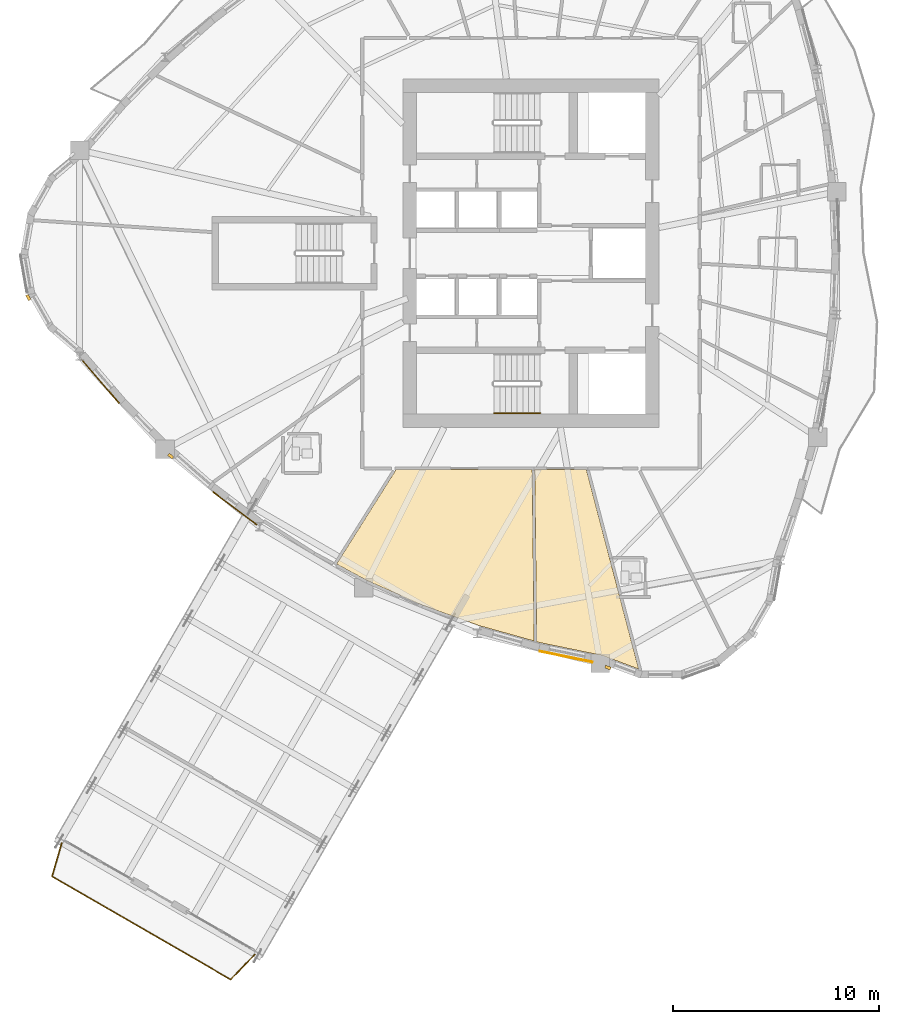
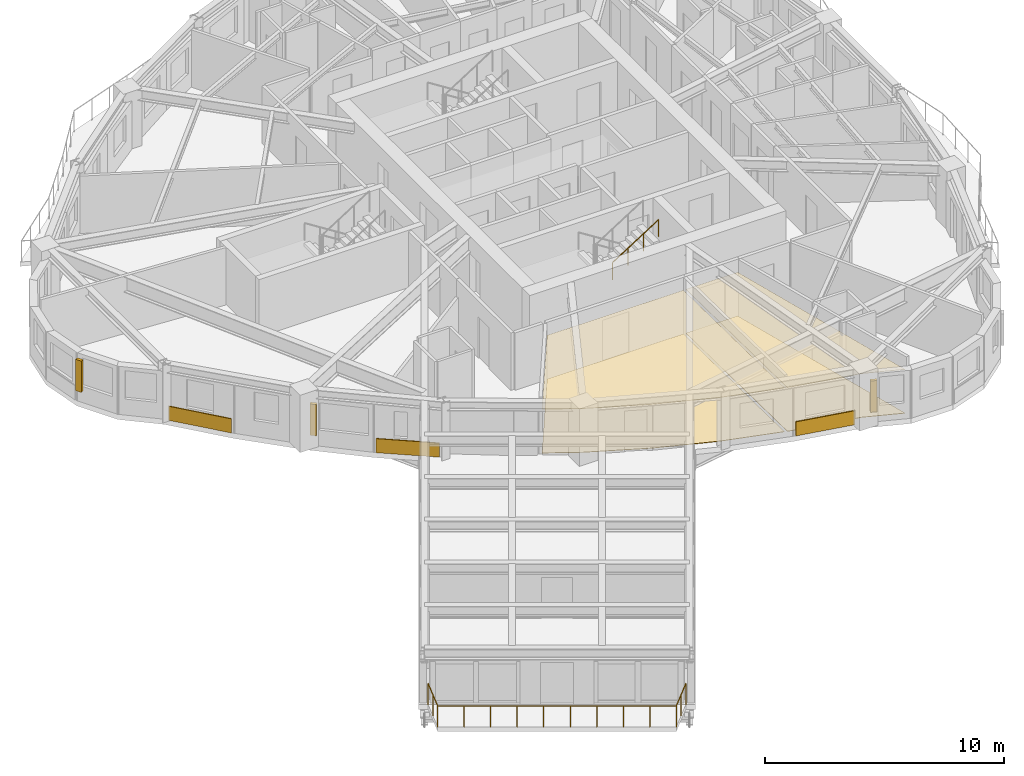
# One storey, part 13 of 17: 7 coverings, 3 shading devices, 2 railings.
"""IFC4 building model written with IfcOpenShell, lengths in metres."""

from ifc_helpers import new_model, si_unit, direction, frame, origin, origin_2d, place, context, subcontext, project, spatial, polyline, rectangle, circle, outline, extrude, source, transform, mapped, material, layer, layer_set, type_object, element, save


model = new_model("IFC4")

# Units and contexts
model_context = context("Model", 3, precision=1e-05, world=origin(), true_north=direction((0.0, 1.0)))
body_context = subcontext(model_context, "Body", "Model", "MODEL_VIEW")
ifc_project = project(units=[si_unit("LENGTHUNIT", "METRE"), si_unit("AREAUNIT", "SQUARE_METRE"), si_unit("VOLUMEUNIT", "CUBIC_METRE"), si_unit("PLANEANGLEUNIT", "RADIAN"), si_unit("MASSUNIT", "GRAM", prefix="KILO")], contexts=[model_context])

# Site, building, storey
site_placement = place(None, origin())
site = spatial("IfcSite", under=ifc_project, at=site_placement, CompositionType="ELEMENT")
building_placement = place(site_placement, origin())
building = spatial("IfcBuilding", under=site, at=building_placement, Name="Qafzar Sky-Pleat Residences", CompositionType="ELEMENT")
storey_placement = place(building_placement, frame((0.0, 0.0, 108.800048828125)))
storey = spatial("IfcBuildingStorey", under=building, at=storey_placement, Name="L32", CompositionType="ELEMENT", Elevation=108.800048828125)

# Coverings
ifc_material_1 = material(Name="Perforated acoustic gypsum board ceiling")
ifc_layer_1 = layer(ifc_material_1, 0.02001953125)
ifc_layer_set_1 = layer_set([ifc_layer_1], Name="Perforated acoustic gypsum board ceiling")
covering_type_1 = type_object("IfcCoveringType", Name="COV-CEIL-ACOUSTIC", PredefinedType="CEILING", material=ifc_layer_set_1)
covering_1_placement = place(storey_placement, frame((0.0, 0.0, 2.239990234375)))
element("IfcCovering", 1, at=covering_1_placement, inside=storey, type_object=covering_type_1, Name="L32 Co-Living Lounge Acoustic Ceiling", PredefinedType="CEILING", context=body_context, shape_type="SweptSolid", body=[
    extrude(outline(polyline([(27.872314453125, 7.941162109375), (25.09375, 8.939697265625), (22.427734375, 10.127685546875), (20.929443359375, 10.93603515625), (23.811279296875, 15.510009765625), (30.41162109375, 15.510009765625), (30.50830078125, 7.203857421875), (27.872314453125, 7.941162109375)])), origin(), (0.0, 0.0, 1.0), 0.02001953125),
])
covering_2_placement = place(storey_placement, frame((0.0, 0.0, 2.239990234375)))
element("IfcCovering", 2, at=covering_2_placement, inside=storey, type_object=covering_type_1, Name="L32 Communal Kitchen Acoustic Ceiling", PredefinedType="CEILING", context=body_context, shape_type="SweptSolid", body=[
    extrude(outline(polyline([(33.8125, 6.504150390625), (30.764404296875, 7.132080078125), (30.628662109375, 7.170166015625), (30.53173828125, 15.510009765625), (33.03759765625, 15.510009765625), (35.570556640625, 5.84765625), (33.8125, 6.504150390625)])), origin(), (0.0, 0.0, 1.0), 0.02001953125),
])
ifc_material_2 = material(Name="Honed porcelain and Riyadh stone tile flooring", Category="masonry")
ifc_layer_2 = layer(ifc_material_2, 0.02001953125)
ifc_layer_set_2 = layer_set([ifc_layer_2], Name="Honed porcelain and Riyadh stone tile flooring")
covering_type_2 = type_object("IfcCoveringType", Name="COV-FLR-PORCELAIN", PredefinedType="FLOORING", material=ifc_layer_set_2)
covering_3_placement = place(storey_placement, origin())
element("IfcCovering", 3, at=covering_3_placement, inside=storey, type_object=covering_type_2, Name="L32 Co-Living Lounge Honed Stone Flooring", PredefinedType="FLOORING", context=body_context, shape_type="SweptSolid", body=[
    extrude(outline(polyline([(27.872314453125, 7.941162109375), (25.09375, 8.939697265625), (22.427734375, 10.127685546875), (20.929443359375, 10.93603515625), (23.811279296875, 15.510009765625), (30.41162109375, 15.510009765625), (30.50830078125, 7.203857421875), (27.872314453125, 7.941162109375)])), origin(), (0.0, 0.0, 1.0), 0.02001953125),
])
covering_4_placement = place(storey_placement, origin())
element("IfcCovering", 4, at=covering_4_placement, inside=storey, type_object=covering_type_2, Name="L32 Communal Kitchen Honed Stone Flooring", PredefinedType="FLOORING", context=body_context, shape_type="SweptSolid", body=[
    extrude(outline(polyline([(33.8125, 6.504150390625), (30.764404296875, 7.132080078125), (30.628662109375, 7.170166015625), (30.53173828125, 15.510009765625), (33.03759765625, 15.510009765625), (35.570556640625, 5.84765625), (33.8125, 6.504150390625)])), origin(), (0.0, 0.0, 1.0), 0.02001953125),
])

# Shading devices
ifc_material_3 = material(Name="Honed Riyadh limestone solar fin", Category="masonry")
ifc_layer_3 = layer(ifc_material_3, 0.139892578125)
ifc_layer_set_3 = layer_set([ifc_layer_3], Name="Honed Riyadh limestone solar fin")
shading_device_type = type_object("IfcShadingDeviceType", Name="SHD-FIN-STONE", PredefinedType="SHUTTER", material=ifc_layer_set_3)
shared_shape_1 = source(origin(), body_context, "Body", "SweptSolid", [
    extrude(rectangle(XDim=0.139892578125, YDim=0.280029296875, at=origin_2d()), origin(), (0.0, 0.0, 1.0), 1.60009765625),
])
for number, where, z_axis, x_axis, name in (
    (5, (5.99072265625, 23.854248046875, 0.599853515625), (0.0, 0.0, 1.0), (-0.868298604268, -0.49604186701, 0.0), "L32 Limestone Solar Fin 5"),
    (6, (12.888427734375, 16.168701171875, 0.599853515625), (0.0, 0.0, 1.0), (-0.659766988526, -0.751470239498, 0.0), "L32 Limestone Solar Fin 9"),
    (7, (34.080810546875, 5.918212890625, 0.599853515625), (0.0, 0.0, 1.0), (-0.349882583119, -0.93679356212, 0.0), "L32 Limestone Solar Fin 17"),
):
    element("IfcShadingDevice", number, at=place(storey_placement, frame(where, z_axis=z_axis, x_axis=x_axis)), inside=storey, type_object=shading_device_type, Name=name, PredefinedType="SHUTTER", context=body_context, shape_type="MappedRepresentation", body=[
        mapped(shared_shape_1, transform((0.0, 0.0, 0.0), x_axis=(1.0, 0.0, 0.0), y_axis=(0.0, 1.0, 0.0), z_axis=(0.0, 0.0, 1.0), scale=1.0)),
    ])

# Coverings
ifc_material_4 = material(Name="Honed Riyadh Tuwaiq limestone cladding", Category="masonry")
ifc_layer_4 = layer(ifc_material_4, 0.044921875)
ifc_layer_set_4 = layer_set([ifc_layer_4], Name="Honed Riyadh Tuwaiq limestone cladding")
covering_type_3 = type_object("IfcCoveringType", Name="COV-CLAD-STONE", PredefinedType="CLADDING", material=ifc_layer_set_4)
shared_shape_2 = source(origin(), body_context, "Body", "SweptSolid", [
    extrude(rectangle(XDim=2.802001953125, YDim=0.044921875, at=origin_2d()), origin(), (0.0, 0.0, 1.0), 0.719970703125),
])
covering_5_placement = place(storey_placement, frame((9.4833984375, 19.792236328125, 0.02001953125), z_axis=(0.0, 0.0, 1.0), x_axis=(0.65073846938, -0.759301945519, 0.0)))
element("IfcCovering", 8, at=covering_5_placement, inside=storey, type_object=covering_type_3, Name="L32 Riyadh Limestone Spandrel Cladding 7", PredefinedType="CLADDING", context=body_context, shape_type="MappedRepresentation", body=[
    mapped(shared_shape_2, transform((0.0, 0.0, 0.0), x_axis=(1.0, 0.0, 0.0), y_axis=(0.0, 1.0, 0.0), z_axis=(0.0, 0.0, 1.0), scale=1.0)),
])
shared_shape_3 = source(origin(), body_context, "Body", "SweptSolid", [
    extrude(rectangle(XDim=2.669189453125, YDim=0.044921875, at=origin_2d()), origin(), (0.0, 0.0, 1.0), 0.719970703125),
])
covering_6_placement = place(storey_placement, frame((15.996337890625, 13.64013671875, 0.02001953125), z_axis=(0.0, 0.0, 1.0), x_axis=(0.798370512802, -0.60216652538, 0.0)))
element("IfcCovering", 9, at=covering_6_placement, inside=storey, type_object=covering_type_3, Name="L32 Riyadh Limestone Spandrel Cladding 10", PredefinedType="CLADDING", context=body_context, shape_type="MappedRepresentation", body=[
    mapped(shared_shape_3, transform((0.0, 0.0, 0.0), x_axis=(1.0, 0.0, 0.0), y_axis=(0.0, 1.0, 0.0), z_axis=(0.0, 0.0, 1.0), scale=1.0)),
])
shared_shape_4 = source(origin(), body_context, "Body", "SweptSolid", [
    extrude(rectangle(XDim=2.613037109375, YDim=0.044921875, at=origin_2d()), origin(), (0.0, 0.0, 1.0), 0.719970703125),
])
covering_7_placement = place(storey_placement, frame((32.052734375, 6.4462890625, 0.02001953125), z_axis=(0.0, 0.0, 1.0), x_axis=(0.979420813579, -0.201828813425, 0.0)))
element("IfcCovering", 10, at=covering_7_placement, inside=storey, type_object=covering_type_3, Name="L32 Riyadh Limestone Spandrel Cladding 16", PredefinedType="CLADDING", context=body_context, shape_type="MappedRepresentation", body=[
    mapped(shared_shape_4, transform((0.0, 0.0, 0.0), x_axis=(1.0, 0.0, 0.0), y_axis=(0.0, 1.0, 0.0), z_axis=(0.0, 0.0, 1.0), scale=1.0)),
])

# Railings
ifc_material_5 = material(Name="Laminated glass and bronze steel balustrade", Category="steel")
railing_type_1 = type_object("IfcRailingType", Name="RAIL-BAL-1100", PredefinedType="BALUSTRADE", material=ifc_material_5)
shared_shape_5 = source(origin(), body_context, "Body", "SweptSolid", [
    extrude(circle(Radius=0.02392578125, at=origin_2d()), frame((0.0, 0.0, 1.076171875), z_axis=(-0.279927595133, -0.960021115123, 0.0), x_axis=(0.960021115123, -0.279927595133, 0.0)), (0.0, 0.0, 1.0), 1.683349609375),
    extrude(circle(Radius=0.02392578125, at=origin_2d()), frame((-0.47119140625, -1.615966796875, 1.076171875), z_axis=(0.866022959057, -0.500004234368, 0.0), x_axis=(0.500004234368, 0.866022959057, 0.0)), (0.0, 0.0, 1.0), 10.0),
    extrude(circle(Radius=0.02392578125, at=origin_2d()), frame((8.18896484375, -6.615966796875, 1.076171875), z_axis=(0.691565058833, 0.722314176381, 0.0), x_axis=(-0.722314176381, 0.691565058833, 0.0)), (0.0, 0.0, 1.0), 1.683349609375),
    extrude(circle(Radius=0.02099609375, at=origin_2d()), origin(), (0.0, 0.0, 1.0), 1.052001953125),
    extrude(circle(Radius=0.02099609375, at=origin_2d()), frame((-0.235595703125, -0.80810546875, 0.0)), (0.0, 0.0, 1.0), 1.052001953125),
    extrude(circle(Radius=0.02099609375, at=origin_2d()), frame((-0.47119140625, -1.615966796875, 0.0)), (0.0, 0.0, 1.0), 1.052001953125),
    extrude(circle(Radius=0.02099609375, at=origin_2d()), frame((0.490966796875, -2.171630859375, 0.0)), (0.0, 0.0, 1.0), 1.052001953125),
    extrude(circle(Radius=0.02099609375, at=origin_2d()), frame((1.453369140625, -2.72705078125, 0.0)), (0.0, 0.0, 1.0), 1.052001953125),
    extrude(circle(Radius=0.02099609375, at=origin_2d()), frame((2.41552734375, -3.28271484375, 0.0)), (0.0, 0.0, 1.0), 1.052001953125),
    extrude(circle(Radius=0.02099609375, at=origin_2d()), frame((3.377685546875, -3.838134765625, 0.0)), (0.0, 0.0, 1.0), 1.052001953125),
    extrude(circle(Radius=0.02099609375, at=origin_2d()), frame((4.340087890625, -4.393798828125, 0.0)), (0.0, 0.0, 1.0), 1.052001953125),
    extrude(circle(Radius=0.02099609375, at=origin_2d()), frame((5.30224609375, -4.94921875, 0.0)), (0.0, 0.0, 1.0), 1.052001953125),
    extrude(circle(Radius=0.02099609375, at=origin_2d()), frame((6.264404296875, -5.5048828125, 0.0)), (0.0, 0.0, 1.0), 1.052001953125),
    extrude(circle(Radius=0.02099609375, at=origin_2d()), frame((7.226806640625, -6.060302734375, 0.0)), (0.0, 0.0, 1.0), 1.052001953125),
    extrude(circle(Radius=0.02099609375, at=origin_2d()), frame((8.18896484375, -6.615966796875, 0.0)), (0.0, 0.0, 1.0), 1.052001953125),
    extrude(circle(Radius=0.02099609375, at=origin_2d()), frame((8.77099609375, -6.008056640625, 0.0)), (0.0, 0.0, 1.0), 1.052001953125),
    extrude(circle(Radius=0.02099609375, at=origin_2d()), frame((9.35302734375, -5.400146484375, 0.0)), (0.0, 0.0, 1.0), 1.052001953125),
])
railing_1_placement = place(storey_placement, frame((7.61083984375, -2.58544921875, 0.0)))
element("IfcRailing", 11, at=railing_1_placement, inside=storey, type_object=railing_type_1, Name="L32 SB-3 Tip Observation Balcony Balustrade", PredefinedType="BALUSTRADE", context=body_context, shape_type="MappedRepresentation", body=[
    mapped(shared_shape_5, transform((0.0, 0.0, 0.0), x_axis=(1.0, 0.0, 0.0), y_axis=(0.0, 1.0, 0.0), z_axis=(0.0, 0.0, 1.0), scale=1.0)),
])
ifc_material_6 = material(Name="Brushed stainless steel handrail", Category="steel")
railing_type_2 = type_object("IfcRailingType", Name="RAIL-STAIR-HAND", PredefinedType="HANDRAIL", material=ifc_material_6)
shared_shape_6 = source(origin(), body_context, "Body", "SweptSolid", [
    extrude(circle(Radius=0.02392578125, at=origin_2d()), frame((0.0, 0.0, 0.8759765625), z_axis=(0.8442293374, 0.0, 0.53598211339), x_axis=(0.0, 1.0, 0.0)), (0.0, 0.0, 1.0), 2.6533203125),
    extrude(circle(Radius=0.02099609375, at=origin_2d()), origin(), (0.0, 0.0, 1.0), 0.851806640625),
    extrude(circle(Radius=0.02099609375, at=origin_2d()), frame((0.74658203125, 0.0, 0.47412109375)), (0.0, 0.0, 1.0), 0.851806640625),
    extrude(circle(Radius=0.02099609375, at=origin_2d()), frame((1.493408203125, 0.0, 0.947998046875)), (0.0, 0.0, 1.0), 0.851806640625),
    extrude(circle(Radius=0.02099609375, at=origin_2d()), frame((2.239990234375, 0.0, 1.422119140625)), (0.0, 0.0, 1.0), 0.851806640625),
])
railing_2_placement = place(storey_placement, frame((28.56005859375, 18.25, 1.77783203125)))
element("IfcRailing", 12, at=railing_2_placement, inside=storey, type_object=railing_type_2, Name="L32 ST1 stair handrail 2", PredefinedType="HANDRAIL", context=body_context, shape_type="MappedRepresentation", body=[
    mapped(shared_shape_6, transform((0.0, 0.0, 0.0), x_axis=(1.0, 0.0, 0.0), y_axis=(0.0, 1.0, 0.0), z_axis=(0.0, 0.0, 1.0), scale=1.0)),
])

save(model, "model.ifc")
